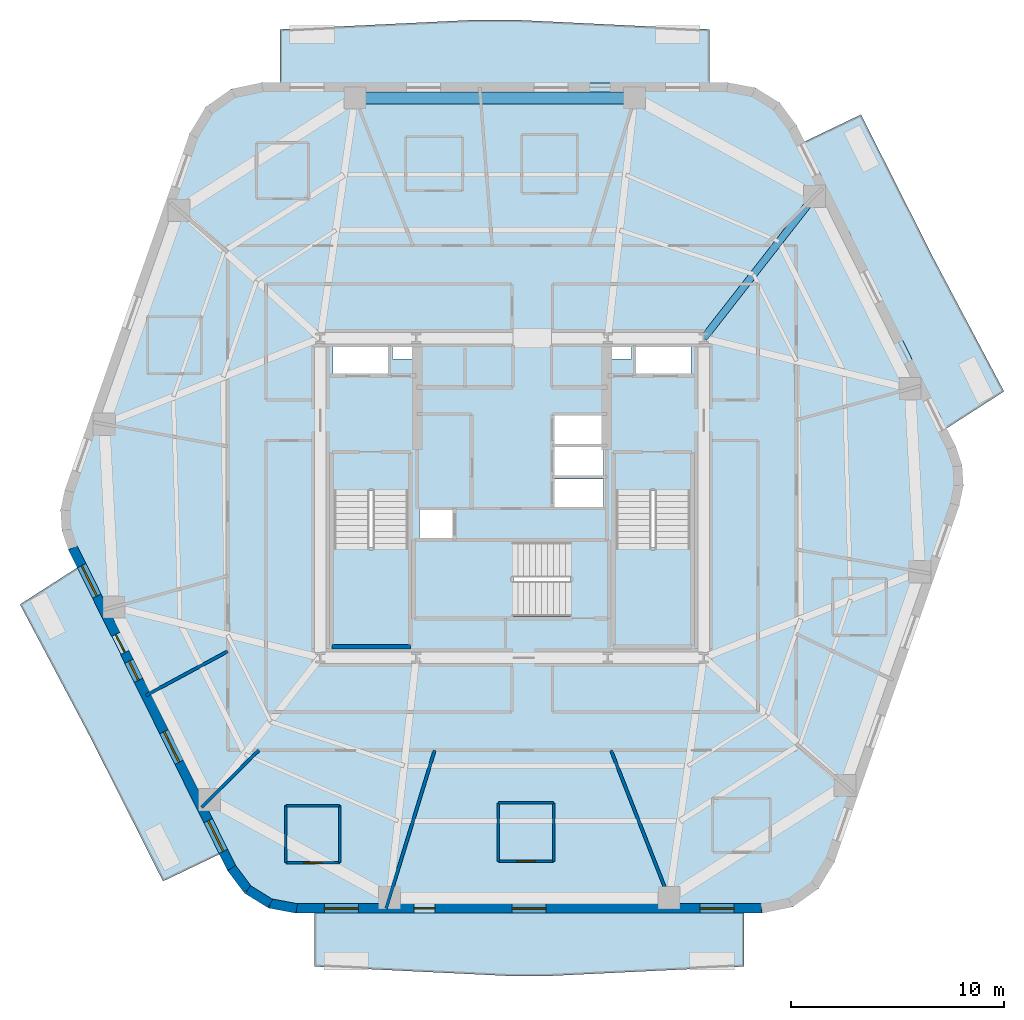
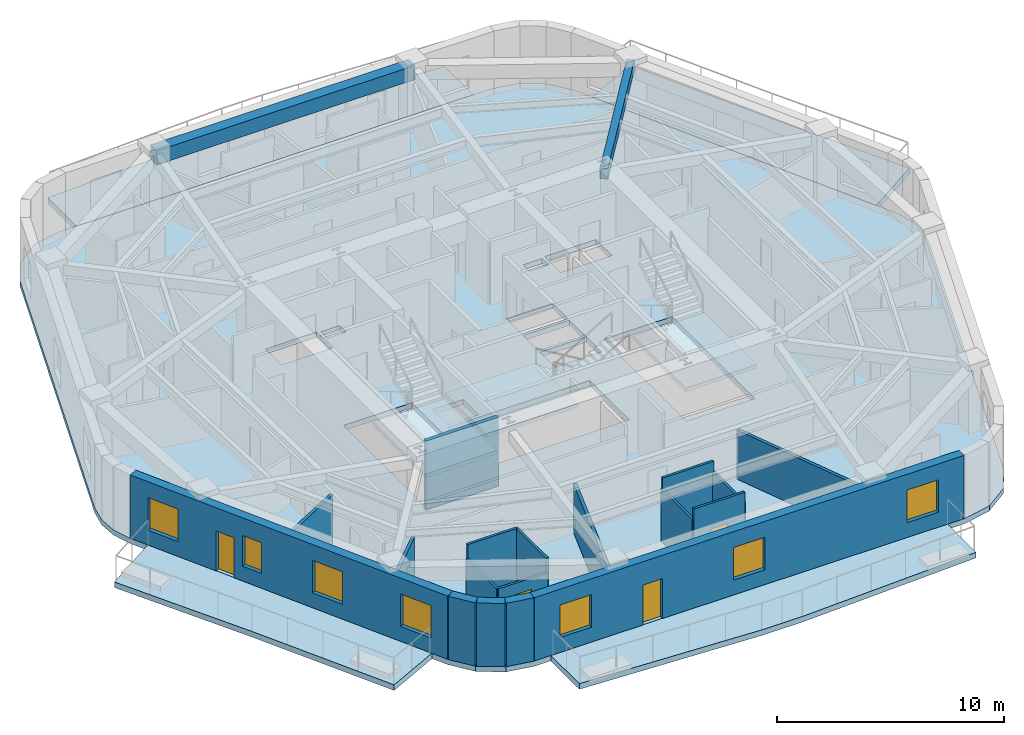
# One storey, part 2 of 10: 18 walls, 8 slabs, 7 windows, 4 doors, 2 beams, 11 openings, 3 elements without a shape of their own.
"""IFC4 building model written with IfcOpenShell, lengths in metres."""

import ifcopenshell
import ifcopenshell.guid

model = None  # the IFC model being written
_history = None  # IfcOwnerHistory: only IFC2X3 demands one
_inside = {}  # id of a spatial element -> (the spatial element, [elements in it])
_under = {}  # id of a project, library or spatial element -> (it, [spatial elements below it])
_declared = {}  # id of a project -> (the project, [libraries it declares])
_typed = {}  # id of a type object -> (the type object, [elements of that type])
_made_of = {}  # id of a material, layer set ... -> (it, [elements and type objects made of it])


def new_model(schema):
    """Start an empty IFC model of exactly this schema.

    Asked for "IFC4X3", IfcOpenShell would pick the latest addendum, in which some entities
    have other attributes; the version numbers below select the first issue.
    IFC2X3 requires an IfcOwnerHistory on every rooted entity: one is made here for all.
    """
    global model, _history
    if schema == "IFC4X3":
        model = ifcopenshell.file(schema_version=(4, 3, 0, 0))
    else:
        model = ifcopenshell.file(schema=schema)
    _inside.clear()
    _under.clear()
    _declared.clear()
    _typed.clear()
    _made_of.clear()
    _history = None
    if model.schema == "IFC2X3":
        org = make("IfcOrganization", Name="unknown")
        user = make(
            "IfcPersonAndOrganization",
            ThePerson=make("IfcPerson", FamilyName="unknown"),
            TheOrganization=org,
        )
        app = make(
            "IfcApplication",
            ApplicationDeveloper=org,
            Version="unknown",
            ApplicationFullName="unknown",
            ApplicationIdentifier="unknown",
        )
        _history = make(
            "IfcOwnerHistory",
            OwningUser=user,
            OwningApplication=app,
            ChangeAction="ADDED",
            CreationDate=0,
        )
    return model


def make(cls, **values):
    """One entity of the class cls with the attributes given. An attribute that is None is left unset."""
    return model.create_entity(
        cls, **{name: value for name, value in values.items() if value is not None}
    )


def rooted(cls, **values):
    """An entity with a GlobalId (a new one), such as an element, a storey or a relation."""
    return make(cls, GlobalId=ifcopenshell.guid.new(), OwnerHistory=_history, **values)


def si_unit(unit_type, name, prefix=None):
    """IfcSIUnit, for example si_unit("LENGTHUNIT", "METRE", prefix="MILLI")."""
    return make("IfcSIUnit", UnitType=unit_type, Prefix=prefix, Name=name)


def assignment(units):
    """IfcUnitAssignment: the units of a project."""
    return None if units is None else make("IfcUnitAssignment", Units=units)


def point(xyz):
    """IfcCartesianPoint."""
    return None if xyz is None else make("IfcCartesianPoint", Coordinates=xyz)


def direction(xyz):
    """IfcDirection."""
    return None if xyz is None else make("IfcDirection", DirectionRatios=xyz)


def frame(location, z_axis=None, x_axis=None):
    """IfcAxis2Placement3D, a coordinate frame: its origin and axes. An axis left out is left unset."""
    return make(
        "IfcAxis2Placement3D",
        Location=point(location),
        Axis=direction(z_axis),
        RefDirection=direction(x_axis),
    )


def frame_2d(location, x_axis=None):
    """IfcAxis2Placement2D, a coordinate frame in the plane: its origin and x axis."""
    return make(
        "IfcAxis2Placement2D", Location=point(location), RefDirection=direction(x_axis)
    )


def origin():
    """The frame at (0, 0, 0) with its axes left unset."""
    return frame((0.0, 0.0, 0.0))


def origin_2d():
    """The frame at (0, 0) in the plane with its x axis left unset."""
    return frame_2d((0.0, 0.0))


def place(relative_to, where):
    """IfcLocalPlacement: puts the frame where relative to a parent placement (None: the world)."""
    return make(
        "IfcLocalPlacement", PlacementRelTo=relative_to, RelativePlacement=where
    )


def context(
    kind, dimensions, precision=None, world=None, true_north=None, identifier=None
):
    """IfcGeometricRepresentationContext, for example the 3D "Model" context."""
    return make(
        "IfcGeometricRepresentationContext",
        ContextIdentifier=identifier,
        ContextType=kind,
        CoordinateSpaceDimension=dimensions,
        Precision=precision,
        WorldCoordinateSystem=world,
        TrueNorth=true_north,
    )


def subcontext(parent, identifier, kind, view, scale=None):
    """IfcGeometricRepresentationSubContext, for example "Body" below "Model"."""
    return make(
        "IfcGeometricRepresentationSubContext",
        ContextIdentifier=identifier,
        ContextType=kind,
        ParentContext=parent,
        TargetScale=scale,
        TargetView=view,
    )


def project(units=None, contexts=None):
    """IfcProject with its units and contexts."""
    return rooted(
        "IfcProject",
        Name="project",
        RepresentationContexts=contexts,
        UnitsInContext=assignment(units),
    )


def spatial(cls, under=None, at=None, **own):
    """A site, building, storey or space (cls), placed at a placement, below another one or the project."""
    s = rooted(cls, ObjectPlacement=at, **own)
    if under is not None:
        _under.setdefault(under.id(), (under, []))[1].append(s)
    return s


def polyline(points):
    """IfcPolyline through the points."""
    return make("IfcPolyline", Points=[point(p) for p in points])


def profile(cls, at=None, kind="AREA", **sizes):
    """A parametric profile (cls). Its sizes go by their IFC names, for example OverallWidth=200.0."""
    return make(cls, ProfileType=kind, Position=at, **sizes)


def rectangle(**sizes):
    """IfcRectangleProfileDef."""
    return profile("IfcRectangleProfileDef", **sizes)


def outline(outer, holes=None, kind="AREA"):
    """IfcArbitraryClosedProfileDef: a profile drawn as a closed curve; with holes, ...WithVoids."""
    if holes is None:
        return make("IfcArbitraryClosedProfileDef", ProfileType=kind, OuterCurve=outer)
    return make(
        "IfcArbitraryProfileDefWithVoids",
        ProfileType=kind,
        OuterCurve=outer,
        InnerCurves=holes,
    )


def extrude(swept, where, along, depth):
    """IfcExtrudedAreaSolid: the profile swept, set in the frame where, extruded along a direction by depth."""
    return make(
        "IfcExtrudedAreaSolid",
        SweptArea=swept,
        Position=where,
        ExtrudedDirection=direction(along),
        Depth=depth,
    )


def shape(context_of_items, identifier, shape_type, items):
    """IfcShapeRepresentation: the items that make up one representation, for example the "Body"."""
    return make(
        "IfcShapeRepresentation",
        ContextOfItems=context_of_items,
        RepresentationIdentifier=identifier,
        RepresentationType=shape_type,
        Items=items,
    )


def material(Name=None, Category=None):
    """IfcMaterial."""
    return make("IfcMaterial", Name=Name, Category=Category)


def layer(
    of_material, thickness, ventilated=None, Name=None, Category=None, Priority=None
):
    """IfcMaterialLayer: one layer of a wall or slab, of a material (None: an air gap)."""
    return make(
        "IfcMaterialLayer",
        Material=of_material,
        LayerThickness=thickness,
        IsVentilated=ventilated,
        Name=Name,
        Category=Category,
        Priority=Priority,
    )


def layer_set(layers, Name=None):
    """IfcMaterialLayerSet."""
    return make("IfcMaterialLayerSet", MaterialLayers=layers, LayerSetName=Name)


def material_profile(
    of_material, cross_section, Name=None, Category=None, Priority=None
):
    """IfcMaterialProfile: a cross section and its material."""
    return make(
        "IfcMaterialProfile",
        Name=Name,
        Material=of_material,
        Profile=cross_section,
        Priority=Priority,
        Category=Category,
    )


def profile_set(profiles, Name=None, composite=None):
    """IfcMaterialProfileSet."""
    return make(
        "IfcMaterialProfileSet",
        Name=Name,
        MaterialProfiles=profiles,
        CompositeProfile=composite,
    )


def made_of(thing, what):
    """Note that an element or type object is made of a material, layer set ...; save() writes the relation."""
    if what is not None:
        _made_of.setdefault(what.id(), (what, []))[1].append(thing)
    return thing


def type_object(cls, material=None, **own):
    """A type object (cls), such as IfcWallType, which elements share."""
    return made_of(rooted(cls, **own), material)


def element(
    cls,
    number,
    at=None,
    inside=None,
    cuts=None,
    type_object=None,
    material=None,
    context=None,
    identifier="Body",
    shape_type=None,
    held_by="IfcProductDefinitionShape",
    body=None,
    shapes=None,
    **own,
):
    """One element of the class cls, such as IfcWall. Its Tag is "e" and its number.

    at: its placement. inside: the storey or other place that contains it. cuts: it is an
    opening in that element (IfcRelVoidsElement). A single representation is given by context,
    identifier, shape_type and body (its items); several are given by shapes. held_by: the class
    of the entity that holds the representations. save() writes the other relations.
    """
    e = rooted(cls, Tag="e%d" % number, ObjectPlacement=at, **own)
    if body is not None:
        shapes = [shape(context, identifier, shape_type, body)]
    if shapes is not None:
        e.Representation = make(held_by, Representations=shapes)
    if inside is not None:
        _inside.setdefault(inside.id(), (inside, []))[1].append(e)
    if cuts is not None:
        rooted(
            "IfcRelVoidsElement", RelatingBuildingElement=cuts, RelatedOpeningElement=e
        )
    if type_object is not None:
        _typed.setdefault(type_object.id(), (type_object, []))[1].append(e)
    return made_of(e, material)


def fill(opening, filler):
    """IfcRelFillsElement: the door or window that sits in an opening."""
    return rooted(
        "IfcRelFillsElement",
        RelatingOpeningElement=opening,
        RelatedBuildingElement=filler,
    )


def aggregate(whole, parts):
    """IfcRelAggregates: a whole, such as a stair, and the parts it consists of."""
    return rooted("IfcRelAggregates", RelatingObject=whole, RelatedObjects=parts)


def save(model, path):
    """Write the relations noted so far, then the file.

    IfcRelAggregates (storeys below a building ...), IfcRelContainedInSpatialStructure (elements
    in a storey), IfcRelDefinesByType, IfcRelAssociatesMaterial and IfcRelDeclares: one each for
    every whole, place, type object, material and project.
    """
    for whole, parts in _under.values():
        aggregate(whole, parts)
    for where, things in _inside.values():
        rooted(
            "IfcRelContainedInSpatialStructure",
            RelatedElements=things,
            RelatingStructure=where,
        )
    for kind, things in _typed.values():
        rooted("IfcRelDefinesByType", RelatedObjects=things, RelatingType=kind)
    for what, things in _made_of.values():
        rooted("IfcRelAssociatesMaterial", RelatedObjects=things, RelatingMaterial=what)
    for by, libraries in _declared.values():
        rooted("IfcRelDeclares", RelatingContext=by, RelatedDefinitions=libraries)
    model.write(path)


model = new_model("IFC4")

# Units and contexts
model_context = context("Model", 3, precision=1e-05, world=origin(), true_north=direction((0.0, 1.0)))
body_context = subcontext(model_context, "Body", "Model", "MODEL_VIEW")
ifc_project = project(units=[si_unit("LENGTHUNIT", "METRE"), si_unit("AREAUNIT", "SQUARE_METRE"), si_unit("VOLUMEUNIT", "CUBIC_METRE"), si_unit("PLANEANGLEUNIT", "RADIAN"), si_unit("MASSUNIT", "GRAM", prefix="KILO")], contexts=[model_context])

# Site, building, storey
site_placement = place(None, origin())
site = spatial("IfcSite", under=ifc_project, at=site_placement, CompositionType="ELEMENT")
building_placement = place(site_placement, origin())
building = spatial("IfcBuilding", under=site, at=building_placement, Name="Kilnhurst Terrace Hotel", CompositionType="ELEMENT")
storey_placement = place(building_placement, frame((0.0, 0.0, 148.0)))
storey = spatial("IfcBuildingStorey", under=building, at=storey_placement, Name="L36", CompositionType="ELEMENT", Elevation=148.0)

# Beams
ifc_material_1 = material(Name="Concrete C50/60", Category="concrete")
ifc_material_profile_1 = material_profile(ifc_material_1, rectangle(XDim=0.35009765625, YDim=0.550048828125, at=origin_2d()), Name="RC350X550")
ifc_profile_set_1 = profile_set([ifc_material_profile_1], Name="Concrete C50/60")
beam_type_1 = type_object("IfcBeamType", Name="BM-RAD-350X550", PredefinedType="BEAM", material=ifc_profile_set_1)
beam_1_placement = place(storey_placement, frame((9.0, 7.5, 3.125), z_axis=(0.615370616457, 0.78823791104, 0.0), x_axis=(-0.78823791104, 0.615370616457, 0.0)))
element("IfcBeam", 1, at=beam_1_placement, inside=storey, type_object=beam_type_1, Name="L36 Radial Floor Beam 6", PredefinedType="BEAM", context=body_context, shape_type="SweptSolid", body=[
    extrude(rectangle(XDim=0.35009765625, YDim=0.550048828125, at=origin_2d()), origin(), (0.0, 0.0, 1.0), 8.456787109375),
])
ifc_material_profile_2 = material_profile(ifc_material_1, rectangle(XDim=0.550048828125, YDim=0.75, at=origin_2d()), Name="RC550X750")
ifc_profile_set_2 = profile_set([ifc_material_profile_2], Name="Concrete C50/60")
beam_type_2 = type_object("IfcBeamType", Name="BM-SPN-550X750", PredefinedType="SPANDREL", material=ifc_profile_set_2)
beam_2_placement = place(storey_placement, frame((5.7548828125, 18.780029296875, 3.02490234375), z_axis=(-1.0, 0.0, 0.0), x_axis=(0.0, -1.0, 0.0)))
element("IfcBeam", 2, at=beam_2_placement, inside=storey, type_object=beam_type_2, Name="L36 Perimeter Spandrel Beam 7", PredefinedType="SPANDREL", context=body_context, shape_type="SweptSolid", body=[
    extrude(rectangle(XDim=0.550048828125, YDim=0.75, at=origin_2d()), origin(), (0.0, 0.0, 1.0), 13.123779296875),
])

# Slabs
ifc_layer_1 = layer(ifc_material_1, 0.300048828125, Name="Concrete C50/60")
ifc_layer_set_1 = layer_set([ifc_layer_1], Name="Concrete C50/60")
slab_type_1 = type_object("IfcSlabType", Name="SLB-BAL-300", PredefinedType="FLOOR", material=ifc_layer_set_1)
slab_1_placement = place(storey_placement, frame((0.0, 0.0, -0.300048828125)))
element("IfcSlab", 3, at=slab_1_placement, inside=storey, type_object=slab_type_1, Name="L36 Cantilevered Planted Terrace Slab BAL-L1A", PredefinedType="FLOOR", context=body_context, shape_type="SweptSolid", body=[
    extrude(outline(polyline([(19.769287109375, 11.293212890625), (23.100830078125, 5.0), (20.393310546875, 3.25927734375), (13.718505859375, 16.72021484375), (16.384033203125, 18.0), (19.769287109375, 11.293212890625)])), origin(), (0.0, 0.0, 1.0), 0.300048828125),
])
slab_2_placement = place(storey_placement, frame((0.0, 0.0, -0.300048828125)))
element("IfcSlab", 4, at=slab_2_placement, inside=storey, type_object=slab_type_1, Name="L36 Cantilevered Planted Terrace Slab BAL-L1B", PredefinedType="FLOOR", context=body_context, shape_type="SweptSolid", body=[
    extrude(outline(polyline([(0.221923828125, 22.43994140625), (9.279296875, 22.0), (9.279296875, 19.47998046875), (-10.8935546875, 19.47998046875), (-10.8935546875, 22.0), (-1.83642578125, 22.43994140625), (0.221923828125, 22.43994140625)])), origin(), (0.0, 0.0, 1.0), 0.300048828125),
])
slab_3_placement = place(storey_placement, frame((0.0, 0.0, -0.300048828125)))
element("IfcSlab", 5, at=slab_3_placement, inside=storey, type_object=slab_type_1, Name="L36 Cantilevered Planted Terrace Slab BAL-L2A", PredefinedType="FLOOR", context=body_context, shape_type="SweptSolid", body=[
    extrude(outline(polyline([(-23.100830078125, -5.0), (-20.393310546875, -3.25927734375), (-13.718505859375, -16.72021484375), (-16.384033203125, -18.0), (-19.769287109375, -11.293212890625), (-23.100830078125, -5.0)])), origin(), (0.0, 0.0, 1.0), 0.300048828125),
])
slab_4_placement = place(storey_placement, frame((0.0, 0.0, -0.300048828125)))
element("IfcSlab", 6, at=slab_4_placement, inside=storey, type_object=slab_type_1, Name="L36 Cantilevered Planted Terrace Slab BAL-L2B", PredefinedType="FLOOR", context=body_context, shape_type="SweptSolid", body=[
    extrude(outline(polyline([(-0.221923828125, -22.43994140625), (-9.279296875, -22.0), (-9.279296875, -19.47998046875), (10.8935546875, -19.47998046875), (10.8935546875, -22.0), (1.83642578125, -22.43994140625), (-0.221923828125, -22.43994140625)])), origin(), (0.0, 0.0, 1.0), 0.300048828125),
])
ifc_layer_2 = layer(ifc_material_1, 0.280029296875, Name="Concrete C50/60")
ifc_layer_set_2 = layer_set([ifc_layer_2], Name="Concrete C50/60")
slab_type_2 = type_object("IfcSlabType", Name="SLB-FLR-280", PredefinedType="FLOOR", material=ifc_layer_set_2)
slab_5_placement = place(storey_placement, frame((0.0, 0.0, -0.280029296875)))
element("IfcSlab", 7, at=slab_5_placement, inside=storey, type_object=slab_type_2, Name="L36 Structural Floor Slab", PredefinedType="FLOOR", context=body_context, shape_type="SweptSolid", body=[
    extrude(outline(polyline([(-13.3544921875, -17.499267578125), (-12.5576171875, -18.5576171875), (-11.431640625, -19.256103515625), (-10.12939453125, -19.5), (11.74365234375, -19.5), (13.18310546875, -19.19970703125), (14.38232421875, -18.348876953125), (15.141357421875, -17.089599609375), (20.9990234375, -0.3583984375), (21.192138671875, 0.57568359375), (21.13330078125, 1.527587890625), (20.82666015625, 2.4306640625), (13.3544921875, 17.499267578125), (12.5576171875, 18.5576171875), (11.431640625, 19.256103515625), (10.12939453125, 19.5), (-11.74365234375, 19.5), (-13.18310546875, 19.19970703125), (-14.38232421875, 18.348876953125), (-15.141357421875, 17.089599609375), (-20.9990234375, 0.3583984375), (-21.192138671875, -0.57568359375), (-21.13330078125, -1.527587890625), (-20.82666015625, -2.4306640625), (-13.3544921875, -17.499267578125)]), holes=[polyline([(2.7548828125, -2.080078125), (2.7548828125, -5.550048828125), (-4.5, -5.550048828125), (-4.5, -2.080078125), (2.7548828125, -2.080078125)]), polyline([(-8.35009765625, 0.35498046875), (-4.8798828125, 0.35498046875), (-4.8798828125, -6.89990234375), (-8.35009765625, -6.89990234375), (-8.35009765625, 0.35498046875)]), polyline([(-2.800048828125, -1.89990234375), (-4.35009765625, -1.89990234375), (-4.35009765625, -0.550048828125), (-2.800048828125, -0.550048828125), (-2.800048828125, -1.89990234375)]), polyline([(1.949951171875, -0.429931640625), (1.949951171875, 0.89990234375), (4.300048828125, 0.89990234375), (4.300048828125, -0.429931640625), (1.949951171875, -0.429931640625)]), polyline([(-8.39990234375, 5.75), (-8.39990234375, 7.14990234375), (-5.800048828125, 7.14990234375), (-5.800048828125, 5.75), (-8.39990234375, 5.75)]), polyline([(-4.659912109375, 6.52001953125), (-5.6201171875, 6.52001953125), (-5.6201171875, 7.080078125), (-4.659912109375, 7.080078125), (-4.659912109375, 6.52001953125)]), polyline([(8.35009765625, 0.35498046875), (8.35009765625, -6.89990234375), (4.8798828125, -6.89990234375), (4.8798828125, 0.35498046875), (8.35009765625, 0.35498046875)]), polyline([(1.949951171875, 1.050048828125), (1.949951171875, 2.3798828125), (4.300048828125, 2.3798828125), (4.300048828125, 1.050048828125), (1.949951171875, 1.050048828125)]), polyline([(4.300048828125, 2.530029296875), (1.949951171875, 2.530029296875), (1.949951171875, 3.860107421875), (4.300048828125, 3.860107421875), (4.300048828125, 2.530029296875)]), polyline([(5.800048828125, 5.75), (5.800048828125, 7.14990234375), (8.39990234375, 7.14990234375), (8.39990234375, 5.75), (5.800048828125, 5.75)]), polyline([(4.659912109375, 6.52001953125), (4.659912109375, 7.080078125), (5.6201171875, 7.080078125), (5.6201171875, 6.52001953125), (4.659912109375, 6.52001953125)])]), origin(), (0.0, 0.0, 1.0), 0.280029296875),
])

# Stair, slab
stair_type = type_object("IfcStairType", Name="STR-CORE-1660", PredefinedType="HALF_TURN_STAIR", material=ifc_material_1)
stair_1_placement = place(storey_placement, origin())
stair_1 = element("IfcStair", 8, at=stair_1_placement, inside=storey, type_object=stair_type, Name="L36 ST-1", PredefinedType="HALF_TURN_STAIR")
ifc_layer_3 = layer(ifc_material_1, 0.199951171875, Name="Concrete C50/60")
ifc_layer_set_3 = layer_set([ifc_layer_3], Name="Concrete C50/60")
slab_type_3 = type_object("IfcSlabType", Name="SLB-ST-LND-200", PredefinedType="LANDING", material=ifc_layer_set_3)
slab_6_placement = place(storey_placement, frame((0.0, 0.0, 1.64990234375)))
slab_6 = element("IfcSlab", 9, at=slab_6_placement, type_object=slab_type_3, Name="ST-1 landing 1", PredefinedType="LANDING", context=body_context, shape_type="SweptSolid", body=[
    extrude(outline(polyline([(-8.429931640625, -2.330078125), (-4.800048828125, -2.330078125), (-4.800048828125, -6.97998046875), (-8.429931640625, -6.97998046875), (-8.429931640625, -2.330078125)])), origin(), (0.0, 0.0, 1.0), 0.2001953125),
])
aggregate(stair_1, [slab_6])

stair_2_placement = place(storey_placement, origin())
stair_2 = element("IfcStair", 10, at=stair_2_placement, inside=storey, type_object=stair_type, Name="L36 ST-2", PredefinedType="HALF_TURN_STAIR")
slab_7_placement = place(storey_placement, frame((0.0, 0.0, 1.64990234375)))
slab_7 = element("IfcSlab", 11, at=slab_7_placement, type_object=slab_type_3, Name="ST-2 landing 1", PredefinedType="LANDING", context=body_context, shape_type="SweptSolid", body=[
    extrude(outline(polyline([(4.800048828125, -2.330078125), (8.429931640625, -2.330078125), (8.429931640625, -6.97998046875), (4.800048828125, -6.97998046875), (4.800048828125, -2.330078125)])), origin(), (0.0, 0.0, 1.0), 0.2001953125),
])
aggregate(stair_2, [slab_7])

stair_3_placement = place(storey_placement, origin())
stair_3 = element("IfcStair", 12, at=stair_3_placement, inside=storey, type_object=stair_type, Name="L36 ST-3", PredefinedType="HALF_TURN_STAIR")
slab_8_placement = place(storey_placement, frame((0.0, 0.0, 1.64990234375)))
slab_8 = element("IfcSlab", 13, at=slab_8_placement, type_object=slab_type_3, Name="ST-3 landing 1", PredefinedType="LANDING", context=body_context, shape_type="SweptSolid", body=[
    extrude(outline(polyline([(0.070068359375, -2.0), (0.070068359375, -5.6298828125), (-4.580078125, -5.6298828125), (-4.580078125, -2.0), (0.070068359375, -2.0)])), origin(), (0.0, 0.0, 1.0), 0.2001953125),
])
aggregate(stair_3, [slab_8])

# Walls
ifc_material_2 = material(Name="Precast concrete C40/50", Category="concrete")
ifc_layer_4 = layer(ifc_material_2, 0.449951171875, Name="Precast concrete C40/50")
ifc_layer_set_4 = layer_set([ifc_layer_4], Name="Precast concrete C40/50")
wall_type_1 = type_object("IfcWallType", Name="WL-BRK-450", PredefinedType="SOLIDWALL", material=ifc_layer_set_4)
wall_1_placement = place(storey_placement, frame((-13.162353515625, -17.380615234375, 0.0), z_axis=(0.0, 0.0, 1.0), x_axis=(0.601515770517, -0.798860925205, 0.0)))
element("IfcWall", 14, at=wall_1_placement, inside=storey, type_object=wall_type_1, Name="L36 Rounded Corner Brick Wall C1.1", PredefinedType="SOLIDWALL", context=body_context, shape_type="SweptSolid", body=[
    extrude(rectangle(XDim=1.261962890625, YDim=0.449951171875, at=frame_2d((0.630859375, 0.0))), origin(), (0.0, 0.0, 1.0), 3.39990234375),
])
wall_2_placement = place(storey_placement, frame((-12.4033203125, -18.388671875, 0.0), z_axis=(0.0, 0.0, 1.0), x_axis=(0.849795170926, -0.527113049991, 0.0)))
element("IfcWall", 15, at=wall_2_placement, inside=storey, type_object=wall_type_1, Name="L36 Rounded Corner Brick Wall C1.2", PredefinedType="SOLIDWALL", context=body_context, shape_type="SweptSolid", body=[
    extrude(rectangle(XDim=1.24072265625, YDim=0.449951171875, at=frame_2d((0.620361328125, 0.0))), origin(), (0.0, 0.0, 1.0), 3.39990234375),
])
wall_3_placement = place(storey_placement, frame((-11.348876953125, -19.042724609375, 0.0), z_axis=(0.0, 0.0, 1.0), x_axis=(0.982931267051, -0.183973161772, 0.0)))
element("IfcWall", 16, at=wall_3_placement, inside=storey, type_object=wall_type_1, Name="L36 Rounded Corner Brick Wall C1.3", PredefinedType="SOLIDWALL", context=body_context, shape_type="SweptSolid", body=[
    extrude(rectangle(XDim=1.261962890625, YDim=0.449951171875, at=frame_2d((0.630859375, 0.0))), origin(), (0.0, 0.0, 1.0), 3.39990234375),
])

# Wall, openings, door, windows
wall_4_placement = place(storey_placement, frame((-10.1083984375, -19.27490234375, 0.0), z_axis=(0.0, 0.0, 1.0), x_axis=(1.0, 0.0, 0.0)))
wall_4 = element("IfcWall", 17, at=wall_4_placement, inside=storey, type_object=wall_type_1, Name="L36 Exterior Brick Facade Wall F1", PredefinedType="SOLIDWALL", context=body_context, shape_type="SweptSolid", body=[
    extrude(rectangle(XDim=21.828857421875, YDim=0.449951171875, at=frame_2d((10.91455078125, 0.0))), origin(), (0.0, 0.0, 1.0), 3.39990234375),
])
opening_1_placement = place(wall_4_placement, frame((5.5029296875, 0.0, 0.0)))
opening_1 = element("IfcOpeningElement", 18, at=opening_1_placement, cuts=wall_4, Name="Opening BD-1000", PredefinedType="OPENING", context=body_context, shape_type="SweptSolid", body=[
    extrude(rectangle(XDim=1.0, YDim=2.14990234375, at=frame_2d((0.5, 1.074951171875))), frame((0.0, 0.23486328125, 0.0), z_axis=(0.0, -1.0, 0.0), x_axis=(1.0, 0.0, 0.0)), (0.0, 0.0, 1.0), 0.469970703125),
])
opening_2_placement = place(wall_4_placement, frame((1.297119140625, 0.0, 0.800048828125)))
opening_2 = element("IfcOpeningElement", 19, at=opening_2_placement, cuts=wall_4, Name="Opening W-05", PredefinedType="OPENING", context=body_context, shape_type="SweptSolid", body=[
    extrude(rectangle(XDim=1.60009765625, YDim=1.75, at=frame_2d((0.800048828125, 0.875))), frame((0.0, 0.23486328125, 0.0), z_axis=(0.0, -1.0, 0.0), x_axis=(1.0, 0.0, 0.0)), (0.0, 0.0, 1.0), 0.469970703125),
])
opening_3_placement = place(wall_4_placement, frame((10.114990234375, 0.0, 0.800048828125)))
opening_3 = element("IfcOpeningElement", 20, at=opening_3_placement, cuts=wall_4, Name="Opening W-05", PredefinedType="OPENING", context=body_context, shape_type="SweptSolid", body=[
    extrude(rectangle(XDim=1.60009765625, YDim=1.75, at=frame_2d((0.800048828125, 0.875))), frame((0.0, 0.23486328125, 0.0), z_axis=(0.0, -1.0, 0.0), x_axis=(1.0, 0.0, 0.0)), (0.0, 0.0, 1.0), 0.469970703125),
])
opening_4_placement = place(wall_4_placement, frame((18.93310546875, 0.0, 0.800048828125)))
opening_4 = element("IfcOpeningElement", 21, at=opening_4_placement, cuts=wall_4, Name="Opening W-05", PredefinedType="OPENING", context=body_context, shape_type="SweptSolid", body=[
    extrude(rectangle(XDim=1.60009765625, YDim=1.75, at=frame_2d((0.800048828125, 0.875))), frame((0.0, 0.23486328125, 0.0), z_axis=(0.0, -1.0, 0.0), x_axis=(1.0, 0.0, 0.0)), (0.0, 0.0, 1.0), 0.469970703125),
])
ifc_material_3 = material(Name="Thermally Broken Bronze Aluminium Alloy 6063-T6 and Laminated Glass", Category="aluminium")
door_type_1 = type_object("IfcDoorType", Name="DR-EXT-BAL-1000", OperationType="NOTDEFINED", PredefinedType="DOOR", material=ifc_material_3)
door_1_placement = place(opening_1_placement, origin())
door_1 = element("IfcDoor", 22, at=door_1_placement, inside=storey, type_object=door_type_1, Name="L36 Planted Balcony Door BAL-L2B", OperationType="SINGLE_SWING_LEFT", OverallHeight=2.14990234375, OverallWidth=1.0, PredefinedType="DOOR", context=body_context, shape_type="SweptSolid", body=[
    extrude(rectangle(XDim=1.0, YDim=2.14990234375, at=frame_2d((0.5, 1.074951171875))), frame((0.0, 0.02490234375, 0.0), z_axis=(0.0, -1.0, 0.0), x_axis=(1.0, 0.0, 0.0)), (0.0, 0.0, 1.0), 0.050048828125),
])
fill(opening_1, door_1)
ifc_material_4 = material(Name="Thermally Broken Bronze Aluminium Alloy 6063-T6 and Low-E Glass", Category="aluminium")
window_type_1 = type_object("IfcWindowType", Name="WIN-1600X1750", PartitioningType="SINGLE_PANEL", PredefinedType="WINDOW", material=ifc_material_4)
window_1_placement = place(opening_2_placement, origin())
window_1 = element("IfcWindow", 23, at=window_1_placement, inside=storey, type_object=window_type_1, Name="L36 Deep-Set Masonry Window F1.1", OverallHeight=1.75, OverallWidth=1.60009765625, PartitioningType="SINGLE_PANEL", PredefinedType="WINDOW", context=body_context, shape_type="SweptSolid", body=[
    extrude(rectangle(XDim=1.60009765625, YDim=1.75, at=frame_2d((0.800048828125, 0.875))), frame((0.0, 0.030029296875, 0.0), z_axis=(0.0, -1.0, 0.0), x_axis=(1.0, 0.0, 0.0)), (0.0, 0.0, 1.0), 0.06005859375),
])
fill(opening_2, window_1)
window_2_placement = place(opening_3_placement, origin())
window_2 = element("IfcWindow", 24, at=window_2_placement, inside=storey, type_object=window_type_1, Name="L36 Deep-Set Masonry Window F1.2", OverallHeight=1.75, OverallWidth=1.60009765625, PartitioningType="SINGLE_PANEL", PredefinedType="WINDOW", context=body_context, shape_type="SweptSolid", body=[
    extrude(rectangle(XDim=1.60009765625, YDim=1.75, at=frame_2d((0.800048828125, 0.875))), frame((0.0, 0.030029296875, 0.0), z_axis=(0.0, -1.0, 0.0), x_axis=(1.0, 0.0, 0.0)), (0.0, 0.0, 1.0), 0.06005859375),
])
fill(opening_3, window_2)
window_3_placement = place(opening_4_placement, origin())
window_3 = element("IfcWindow", 25, at=window_3_placement, inside=storey, type_object=window_type_1, Name="L36 Deep-Set Masonry Window F1.3", OverallHeight=1.75, OverallWidth=1.60009765625, PartitioningType="SINGLE_PANEL", PredefinedType="WINDOW", context=body_context, shape_type="SweptSolid", body=[
    extrude(rectangle(XDim=1.60009765625, YDim=1.75, at=frame_2d((0.800048828125, 0.875))), frame((0.0, 0.030029296875, 0.0), z_axis=(0.0, -1.0, 0.0), x_axis=(1.0, 0.0, 0.0)), (0.0, 0.0, 1.0), 0.06005859375),
])
fill(opening_4, window_3)

wall_5_placement = place(storey_placement, frame((-20.618408203125, -2.343994140625, 0.0), z_axis=(0.0, 0.0, 1.0), x_axis=(0.444243691097, -0.895905990002, 0.0)))
wall_5 = element("IfcWall", 26, at=wall_5_placement, inside=storey, type_object=wall_type_1, Name="L36 Exterior Brick Facade Wall F6", PredefinedType="SOLIDWALL", context=body_context, shape_type="SweptSolid", body=[
    extrude(rectangle(XDim=16.78369140625, YDim=0.449951171875, at=frame_2d((8.391845703125, 0.0))), origin(), (0.0, 0.0, 1.0), 3.39990234375),
])
opening_5_placement = place(wall_5_placement, frame((4.534912109375, 0.0, 0.0)))
opening_5 = element("IfcOpeningElement", 27, at=opening_5_placement, cuts=wall_5, Name="Opening BD-950", PredefinedType="OPENING", context=body_context, shape_type="SweptSolid", body=[
    extrude(rectangle(XDim=0.949951171875, YDim=2.14990234375, at=frame_2d((0.47509765625, 1.074951171875))), frame((0.0, 0.23486328125, 0.0), z_axis=(0.0, -1.0, 0.0), x_axis=(1.0, 0.0, 0.0)), (0.0, 0.0, 1.0), 0.469970703125),
])
opening_6_placement = place(wall_5_placement, frame((0.930908203125, 0.0, 0.800048828125)))
opening_6 = element("IfcOpeningElement", 28, at=opening_6_placement, cuts=wall_5, Name="Opening W-05", PredefinedType="OPENING", context=body_context, shape_type="SweptSolid", body=[
    extrude(rectangle(XDim=1.60009765625, YDim=1.75, at=frame_2d((0.800048828125, 0.875))), frame((0.0, 0.23486328125, 0.0), z_axis=(0.0, -1.0, 0.0), x_axis=(1.0, 0.0, 0.0)), (0.0, 0.0, 1.0), 0.469970703125),
])
opening_7_placement = place(wall_5_placement, frame((5.94189453125, 0.0, 0.800048828125)))
opening_7 = element("IfcOpeningElement", 29, at=opening_7_placement, cuts=wall_5, Name="Opening W-08", PredefinedType="OPENING", context=body_context, shape_type="SweptSolid", body=[
    extrude(rectangle(XDim=1.0, YDim=1.64990234375, at=frame_2d((0.5, 0.824951171875))), frame((0.0, 0.23486328125, 0.0), z_axis=(0.0, -1.0, 0.0), x_axis=(1.0, 0.0, 0.0)), (0.0, 0.0, 1.0), 0.469970703125),
])
opening_8_placement = place(wall_5_placement, frame((9.633056640625, 0.0, 0.800048828125)))
opening_8 = element("IfcOpeningElement", 30, at=opening_8_placement, cuts=wall_5, Name="Opening W-05", PredefinedType="OPENING", context=body_context, shape_type="SweptSolid", body=[
    extrude(rectangle(XDim=1.60009765625, YDim=1.75, at=frame_2d((0.800048828125, 0.875))), frame((0.0, 0.23486328125, 0.0), z_axis=(0.0, -1.0, 0.0), x_axis=(1.0, 0.0, 0.0)), (0.0, 0.0, 1.0), 0.469970703125),
])
opening_9_placement = place(wall_5_placement, frame((14.302978515625, 0.0, 0.800048828125)))
opening_9 = element("IfcOpeningElement", 31, at=opening_9_placement, cuts=wall_5, Name="Opening W-05", PredefinedType="OPENING", context=body_context, shape_type="SweptSolid", body=[
    extrude(rectangle(XDim=1.60009765625, YDim=1.75, at=frame_2d((0.800048828125, 0.875))), frame((0.0, 0.23486328125, 0.0), z_axis=(0.0, -1.0, 0.0), x_axis=(1.0, 0.0, 0.0)), (0.0, 0.0, 1.0), 0.469970703125),
])
door_type_2 = type_object("IfcDoorType", Name="DR-EXT-BAL-950", OperationType="NOTDEFINED", PredefinedType="DOOR", material=ifc_material_3)
door_2_placement = place(opening_5_placement, origin())
door_2 = element("IfcDoor", 32, at=door_2_placement, inside=storey, type_object=door_type_2, Name="L36 Planted Balcony Door BAL-L2A", OperationType="SINGLE_SWING_RIGHT", OverallHeight=2.14990234375, OverallWidth=0.949951171875, PredefinedType="DOOR", context=body_context, shape_type="SweptSolid", body=[
    extrude(rectangle(XDim=0.949951171875, YDim=2.14990234375, at=frame_2d((0.47509765625, 1.074951171875))), frame((0.0, 0.02490234375, 0.0), z_axis=(0.0, -1.0, 0.0), x_axis=(1.0, 0.0, 0.0)), (0.0, 0.0, 1.0), 0.050048828125),
])
fill(opening_5, door_2)
window_type_2 = type_object("IfcWindowType", Name="WIN-1000X1650", PartitioningType="SINGLE_PANEL", PredefinedType="WINDOW", material=ifc_material_4)
window_4_placement = place(opening_7_placement, origin())
window_4 = element("IfcWindow", 33, at=window_4_placement, inside=storey, type_object=window_type_2, Name="L36 Deep-Set Masonry Window F6.2", OverallHeight=1.64990234375, OverallWidth=1.0, PartitioningType="SINGLE_PANEL", PredefinedType="WINDOW", context=body_context, shape_type="SweptSolid", body=[
    extrude(rectangle(XDim=1.0, YDim=1.64990234375, at=frame_2d((0.5, 0.824951171875))), frame((0.0, 0.030029296875, 0.0), z_axis=(0.0, -1.0, 0.0), x_axis=(1.0, 0.0, 0.0)), (0.0, 0.0, 1.0), 0.06005859375),
])
fill(opening_7, window_4)
window_5_placement = place(opening_6_placement, origin())
window_5 = element("IfcWindow", 34, at=window_5_placement, inside=storey, type_object=window_type_1, Name="L36 Deep-Set Masonry Window F6.1", OverallHeight=1.75, OverallWidth=1.60009765625, PartitioningType="SINGLE_PANEL", PredefinedType="WINDOW", context=body_context, shape_type="SweptSolid", body=[
    extrude(rectangle(XDim=1.60009765625, YDim=1.75, at=frame_2d((0.800048828125, 0.875))), frame((0.0, 0.030029296875, 0.0), z_axis=(0.0, -1.0, 0.0), x_axis=(1.0, 0.0, 0.0)), (0.0, 0.0, 1.0), 0.06005859375),
])
fill(opening_6, window_5)
window_6_placement = place(opening_8_placement, origin())
window_6 = element("IfcWindow", 35, at=window_6_placement, inside=storey, type_object=window_type_1, Name="L36 Deep-Set Masonry Window F6.3", OverallHeight=1.75, OverallWidth=1.60009765625, PartitioningType="SINGLE_PANEL", PredefinedType="WINDOW", context=body_context, shape_type="SweptSolid", body=[
    extrude(rectangle(XDim=1.60009765625, YDim=1.75, at=frame_2d((0.800048828125, 0.875))), frame((0.0, 0.030029296875, 0.0), z_axis=(0.0, -1.0, 0.0), x_axis=(1.0, 0.0, 0.0)), (0.0, 0.0, 1.0), 0.06005859375),
])
fill(opening_8, window_6)
window_7_placement = place(opening_9_placement, origin())
window_7 = element("IfcWindow", 36, at=window_7_placement, inside=storey, type_object=window_type_1, Name="L36 Deep-Set Masonry Window F6.4", OverallHeight=1.75, OverallWidth=1.60009765625, PartitioningType="SINGLE_PANEL", PredefinedType="WINDOW", context=body_context, shape_type="SweptSolid", body=[
    extrude(rectangle(XDim=1.60009765625, YDim=1.75, at=frame_2d((0.800048828125, 0.875))), frame((0.0, 0.030029296875, 0.0), z_axis=(0.0, -1.0, 0.0), x_axis=(1.0, 0.0, 0.0)), (0.0, 0.0, 1.0), 0.06005859375),
])
fill(opening_9, window_7)

# Walls
ifc_material_5 = material(Name="STC-58 Acoustic Twin-Frame Guestroom Demising Partition")
ifc_layer_5 = layer(ifc_material_5, 0.14990234375, Name="STC-58 Acoustic Twin-Frame Guestroom Demising Partition")
ifc_layer_set_5 = layer_set([ifc_layer_5], Name="STC-58 Acoustic Twin-Frame Guestroom Demising Partition")
wall_type_2 = type_object("IfcWallType", Name="WL-DEM-150", PredefinedType="PARTITIONING", material=ifc_layer_set_5)
wall_6_placement = place(storey_placement, frame((-13.35009765625, -7.2041015625, 0.0), z_axis=(0.0, 0.0, 1.0), x_axis=(-0.880033329067, -0.474911928394, 0.0)))
element("IfcWall", 37, at=wall_6_placement, inside=storey, type_object=wall_type_2, Name="L36 Interior Wall WL-L36-DEM-MID07-09-1", PredefinedType="PARTITIONING", context=body_context, shape_type="SweptSolid", body=[
    extrude(rectangle(XDim=4.355224609375, YDim=0.14990234375, at=frame_2d((2.177734375, 0.0))), origin(), (0.0, 0.0, 1.0), 2.639892578125),
])
wall_7_placement = place(storey_placement, frame((-11.8818359375, -11.85009765625, 0.0), z_axis=(0.0, 0.0, 1.0), x_axis=(-0.708037373639, -0.706174962407, 0.0)))
element("IfcWall", 38, at=wall_7_placement, inside=storey, type_object=wall_type_2, Name="L36 Interior Wall WL-L36-DEM-COL08-10-1", PredefinedType="PARTITIONING", context=body_context, shape_type="SweptSolid", body=[
    extrude(rectangle(XDim=3.801513671875, YDim=0.14990234375, at=frame_2d((1.90087890625, 0.0))), origin(), (0.0, 0.0, 1.0), 2.639892578125),
])
wall_8_placement = place(storey_placement, frame((-3.63134765625, -11.85009765625, 0.0), z_axis=(0.0, 0.0, 1.0), x_axis=(-0.293007573338, -0.956110120209, 0.0)))
element("IfcWall", 39, at=wall_8_placement, inside=storey, type_object=wall_type_2, Name="L36 Interior Wall WL-L36-DEM-COL09-11-1", PredefinedType="PARTITIONING", context=body_context, shape_type="SweptSolid", body=[
    extrude(rectangle(XDim=7.765625, YDim=0.14990234375, at=frame_2d((3.8828125, 0.0))), origin(), (0.0, 0.0, 1.0), 2.639892578125),
])
wall_9_placement = place(storey_placement, frame((4.64990234375, -11.85009765625, 0.0), z_axis=(0.0, 0.0, 1.0), x_axis=(0.365265947993, -0.930903210456, 0.0)))
element("IfcWall", 40, at=wall_9_placement, inside=storey, type_object=wall_type_2, Name="L36 Interior Wall WL-L36-DEM-COL10-12-1", PredefinedType="PARTITIONING", context=body_context, shape_type="SweptSolid", body=[
    extrude(rectangle(XDim=7.975830078125, YDim=0.14990234375, at=frame_2d((3.98779296875, 0.0))), origin(), (0.0, 0.0, 1.0), 2.639892578125),
])

# Wall, opening, door
ifc_material_6 = material(Name="120 mm Moisture-Resistant Tile-Backed Bathroom Partition")
ifc_layer_6 = layer(ifc_material_6, 0.1201171875, Name="120 mm Moisture-Resistant Tile-Backed Bathroom Partition")
ifc_layer_set_6 = layer_set([ifc_layer_6], Name="120 mm Moisture-Resistant Tile-Backed Bathroom Partition")
wall_type_3 = type_object("IfcWallType", Name="WL-PART-120", PredefinedType="PARTITIONING", material=ifc_layer_set_6)
wall_10_placement = place(storey_placement, frame((-10.617919921875, -17.1259765625, 0.0), z_axis=(0.0, 0.0, 1.0), x_axis=(1.0, 0.0, 0.0)))
wall_10 = element("IfcWall", 41, at=wall_10_placement, inside=storey, type_object=wall_type_3, Name="L36 Interior Wall WL-L36-BTH-10-1", PredefinedType="PARTITIONING", context=body_context, shape_type="SweptSolid", body=[
    extrude(rectangle(XDim=2.52001953125, YDim=0.1201171875, at=frame_2d((1.260009765625, 0.0))), origin(), (0.0, 0.0, 1.0), 2.639892578125),
])
opening_10_placement = place(wall_10_placement, frame((0.8349609375, 0.0, 0.0)))
opening_10 = element("IfcOpeningElement", 42, at=opening_10_placement, cuts=wall_10, Name="Opening D-08A", PredefinedType="OPENING", context=body_context, shape_type="SweptSolid", body=[
    extrude(rectangle(XDim=0.85009765625, YDim=2.030029296875, at=frame_2d((0.425048828125, 1.01513671875))), frame((0.0, 0.070068359375, 0.0), z_axis=(0.0, -1.0, 0.0), x_axis=(1.0, 0.0, 0.0)), (0.0, 0.0, 1.0), 0.14013671875),
])
ifc_material_7 = material(Name="Moisture-Resistant Lacquered En-suite Bathroom Door")
door_type_3 = type_object("IfcDoorType", Name="DR-INT-850", OperationType="NOTDEFINED", PredefinedType="DOOR", material=ifc_material_7)
door_3_placement = place(opening_10_placement, origin())
door_3 = element("IfcDoor", 43, at=door_3_placement, inside=storey, type_object=door_type_3, Name="L36 En-suite Bathroom Door 10", OperationType="SINGLE_SWING_LEFT", OverallHeight=2.030029296875, OverallWidth=0.85009765625, PredefinedType="DOOR", context=body_context, shape_type="SweptSolid", body=[
    extrude(rectangle(XDim=0.85009765625, YDim=2.030029296875, at=frame_2d((0.425048828125, 1.01513671875))), frame((0.0, 0.02490234375, 0.0), z_axis=(0.0, -1.0, 0.0), x_axis=(1.0, 0.0, 0.0)), (0.0, 0.0, 1.0), 0.050048828125),
])
fill(opening_10, door_3)

# Walls
wall_11_placement = place(storey_placement, frame((-8.097900390625, -17.1259765625, 0.0), z_axis=(0.0, 0.0, 1.0), x_axis=(0.0, 1.0, 0.0)))
element("IfcWall", 44, at=wall_11_placement, inside=storey, type_object=wall_type_3, Name="L36 Interior Wall WL-L36-BTH-10-2", PredefinedType="PARTITIONING", context=body_context, shape_type="SweptSolid", body=[
    extrude(rectangle(XDim=2.679931640625, YDim=0.1201171875, at=frame_2d((1.33984375, 0.0))), origin(), (0.0, 0.0, 1.0), 3.39990234375),
])
wall_12_placement = place(storey_placement, frame((-8.097900390625, -14.446044921875, 0.0), z_axis=(0.0, 0.0, 1.0), x_axis=(-1.0, 0.0, 0.0)))
element("IfcWall", 45, at=wall_12_placement, inside=storey, type_object=wall_type_3, Name="L36 Interior Wall WL-L36-BTH-10-3", PredefinedType="PARTITIONING", context=body_context, shape_type="SweptSolid", body=[
    extrude(rectangle(XDim=2.52001953125, YDim=0.1201171875, at=frame_2d((1.260009765625, 0.0))), origin(), (0.0, 0.0, 1.0), 3.39990234375),
])
wall_13_placement = place(storey_placement, frame((-10.617919921875, -14.446044921875, 0.0), z_axis=(0.0, 0.0, 1.0), x_axis=(0.0, -1.0, 0.0)))
element("IfcWall", 46, at=wall_13_placement, inside=storey, type_object=wall_type_3, Name="L36 Interior Wall WL-L36-BTH-10-4", PredefinedType="PARTITIONING", context=body_context, shape_type="SweptSolid", body=[
    extrude(rectangle(XDim=2.679931640625, YDim=0.1201171875, at=frame_2d((1.33984375, 0.0))), origin(), (0.0, 0.0, 1.0), 2.639892578125),
])

# Wall, opening, door
wall_14_placement = place(storey_placement, frame((-0.64111328125, -17.06298828125, 0.0), z_axis=(0.0, 0.0, 1.0), x_axis=(1.0, 0.0, 0.0)))
wall_14 = element("IfcWall", 47, at=wall_14_placement, inside=storey, type_object=wall_type_3, Name="L36 Interior Wall WL-L36-BTH-11-1", PredefinedType="PARTITIONING", context=body_context, shape_type="SweptSolid", body=[
    extrude(rectangle(XDim=2.60009765625, YDim=0.1201171875, at=frame_2d((1.300048828125, 0.0))), origin(), (0.0, 0.0, 1.0), 3.39990234375),
])
opening_11_placement = place(wall_14_placement, frame((0.875, 0.0, 0.0)))
opening_11 = element("IfcOpeningElement", 48, at=opening_11_placement, cuts=wall_14, Name="Opening D-08A", PredefinedType="OPENING", context=body_context, shape_type="SweptSolid", body=[
    extrude(rectangle(XDim=0.85009765625, YDim=2.030029296875, at=frame_2d((0.425048828125, 1.01513671875))), frame((0.0, 0.070068359375, 0.0), z_axis=(0.0, -1.0, 0.0), x_axis=(1.0, 0.0, 0.0)), (0.0, 0.0, 1.0), 0.14013671875),
])
door_4_placement = place(opening_11_placement, origin())
door_4 = element("IfcDoor", 49, at=door_4_placement, inside=storey, type_object=door_type_3, Name="L36 En-suite Bathroom Door 11", OperationType="SINGLE_SWING_RIGHT", OverallHeight=2.030029296875, OverallWidth=0.85009765625, PredefinedType="DOOR", context=body_context, shape_type="SweptSolid", body=[
    extrude(rectangle(XDim=0.85009765625, YDim=2.030029296875, at=frame_2d((0.425048828125, 1.01513671875))), frame((0.0, 0.02490234375, 0.0), z_axis=(0.0, -1.0, 0.0), x_axis=(1.0, 0.0, 0.0)), (0.0, 0.0, 1.0), 0.050048828125),
])
fill(opening_11, door_4)

# Walls
wall_15_placement = place(storey_placement, frame((1.958984375, -17.06298828125, 0.0), z_axis=(0.0, 0.0, 1.0), x_axis=(0.0, 1.0, 0.0)))
element("IfcWall", 50, at=wall_15_placement, inside=storey, type_object=wall_type_3, Name="L36 Interior Wall WL-L36-BTH-11-2", PredefinedType="PARTITIONING", context=body_context, shape_type="SweptSolid", body=[
    extrude(rectangle(XDim=2.75, YDim=0.1201171875, at=frame_2d((1.375, 0.0))), origin(), (0.0, 0.0, 1.0), 2.840576171875),
])
wall_16_placement = place(storey_placement, frame((1.958984375, -14.31298828125, 0.0), z_axis=(0.0, 0.0, 1.0), x_axis=(-1.0, 0.0, 0.0)))
element("IfcWall", 51, at=wall_16_placement, inside=storey, type_object=wall_type_3, Name="L36 Interior Wall WL-L36-BTH-11-3", PredefinedType="PARTITIONING", context=body_context, shape_type="SweptSolid", body=[
    extrude(rectangle(XDim=2.60009765625, YDim=0.1201171875, at=frame_2d((1.300048828125, 0.0))), origin(), (0.0, 0.0, 1.0), 3.39990234375),
])
wall_17_placement = place(storey_placement, frame((-0.64111328125, -14.31298828125, 0.0), z_axis=(0.0, 0.0, 1.0), x_axis=(0.0, -1.0, 0.0)))
element("IfcWall", 52, at=wall_17_placement, inside=storey, type_object=wall_type_3, Name="L36 Interior Wall WL-L36-BTH-11-4", PredefinedType="PARTITIONING", context=body_context, shape_type="SweptSolid", body=[
    extrude(rectangle(XDim=2.75, YDim=0.1201171875, at=frame_2d((1.375, 0.0))), origin(), (0.0, 0.0, 1.0), 2.840576171875),
])
ifc_layer_7 = layer(ifc_material_1, 0.199951171875, Name="Concrete C50/60")
ifc_layer_set_7 = layer_set([ifc_layer_7], Name="Concrete C50/60")
wall_type_4 = type_object("IfcWallType", Name="WL-STAIR-RC-200", PredefinedType="SHEAR", material=ifc_layer_set_7)
wall_18_placement = place(storey_placement, frame((-8.4580078125, -6.985107421875, 0.0), z_axis=(0.0, 0.0, 1.0), x_axis=(1.0, 0.0, 0.0)))
element("IfcWall", 53, at=wall_18_placement, inside=storey, type_object=wall_type_4, Name="L36 Structural Stair Shaft Wall WL-L36-ST1-S", PredefinedType="SHEAR", context=body_context, shape_type="SweptSolid", body=[
    extrude(rectangle(XDim=3.68603515625, YDim=0.199951171875, at=frame_2d((1.843017578125, 0.0))), origin(), (0.0, 0.0, 1.0), 3.699951171875),
])

save(model, "model.ifc")
